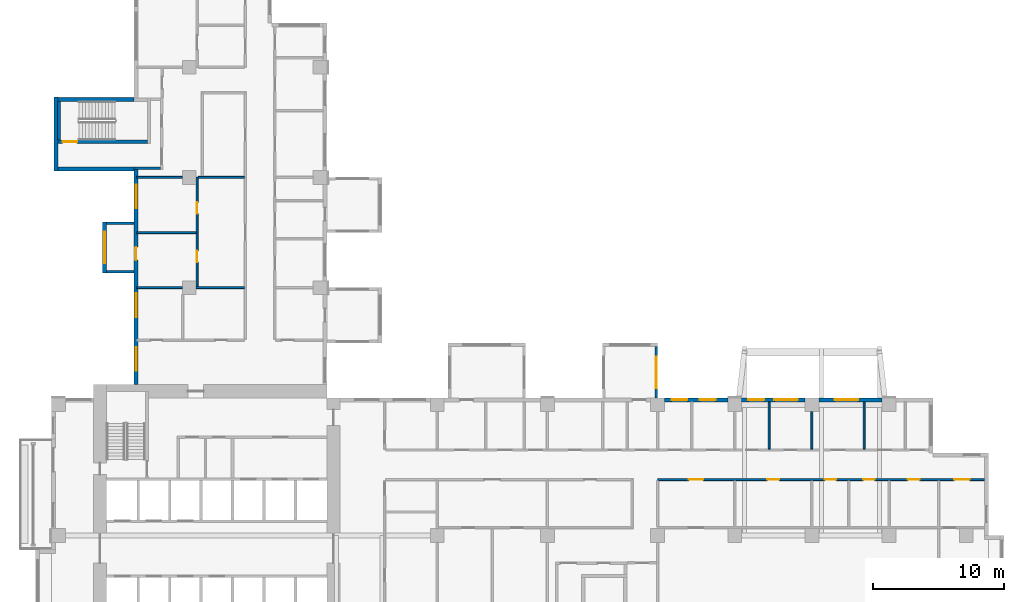
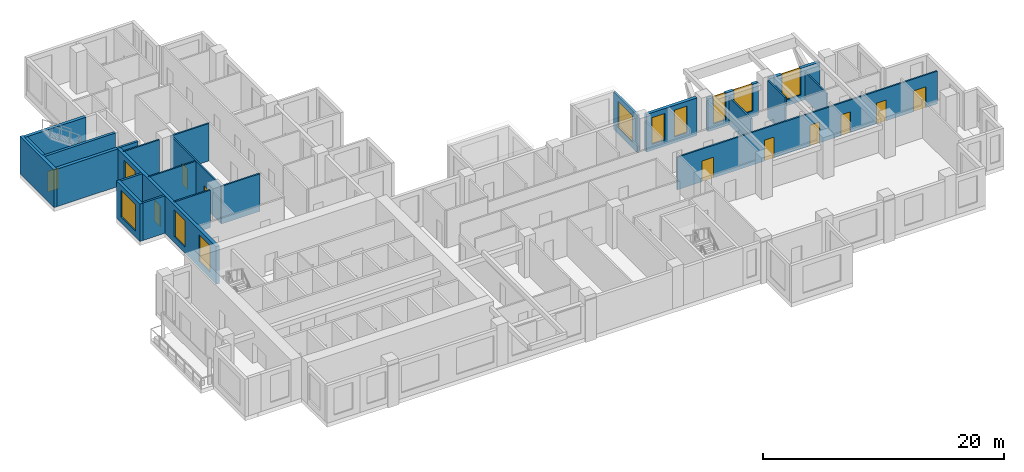
# One storey, part 6 of 15: 24 walls, 10 doors, 10 windows, 20 openings.
"""IFC4 building model written with IfcOpenShell, lengths in metres."""

from ifc_helpers import new_model, si_unit, direction, frame, frame_2d, origin, place, context, subcontext, project, spatial, rectangle, extrude, source, transform, mapped, material, layer, layer_set, type_object, element, fill, save


model = new_model("IFC4")

# Units and contexts
model_context = context("Model", 3, precision=1e-05, world=origin(), true_north=direction((0.0, 1.0)))
body_context = subcontext(model_context, "Body", "Model", "MODEL_VIEW")
ifc_project = project(units=[si_unit("LENGTHUNIT", "METRE"), si_unit("AREAUNIT", "SQUARE_METRE"), si_unit("VOLUMEUNIT", "CUBIC_METRE"), si_unit("PLANEANGLEUNIT", "RADIAN"), si_unit("MASSUNIT", "GRAM", prefix="KILO")], contexts=[model_context])

# Site, building, storey
site_placement = place(None, origin())
site = spatial("IfcSite", under=ifc_project, at=site_placement, CompositionType="ELEMENT")
building_placement = place(site_placement, origin())
building = spatial("IfcBuilding", under=site, at=building_placement, Name="Aurelian Terraces", CompositionType="ELEMENT")
storey_placement = place(building_placement, frame((0.0, 0.0, 107.7)))
storey = spatial("IfcBuildingStorey", under=building, at=storey_placement, Name="L23", CompositionType="ELEMENT", Elevation=107.7)

# Wall
ifc_material_1 = material(Name="Concrete fc' 40 MPa", Category="concrete")
ifc_layer_1 = layer(ifc_material_1, 0.2)
ifc_layer_set_1 = layer_set([ifc_layer_1], Name="BOX BEARING WALL 200")
wall_type_1 = type_object("IfcWallType", Name="BOX BEARING WALL 200", PredefinedType="SOLIDWALL", material=ifc_layer_set_1)
wall_1_placement = place(storey_placement, frame((6.3, 34.3, 0.0), z_axis=(0.0, 0.0, 1.0), x_axis=(-1.0, 0.0, 0.0)))
element("IfcWall", 1, at=wall_1_placement, inside=storey, type_object=wall_type_1, Name="Box return L23 J34.1", PredefinedType="SOLIDWALL", context=body_context, shape_type="SweptSolid", body=[
    extrude(rectangle(XDim=2.1, YDim=0.2, at=frame_2d((1.05, 0.0))), origin(), (0.0, 0.0, 1.0), 3.79),
])

# Wall, opening, window
ifc_layer_2 = layer(ifc_material_1, 0.3)
ifc_layer_set_2 = layer_set([ifc_layer_2], Name="BOX BEARING WALL 300")
wall_type_2 = type_object("IfcWallType", Name="BOX BEARING WALL 300", PredefinedType="SOLIDWALL", material=ifc_layer_set_2)
wall_2_placement = place(storey_placement, frame((4.05, 34.4, 0.0), z_axis=(0.0, 0.0, 1.0), x_axis=(0.0, -1.0, 0.0)))
wall_2 = element("IfcWall", 2, at=wall_2_placement, inside=storey, type_object=wall_type_2, Name="Box wall L23 J34", PredefinedType="SOLIDWALL", context=body_context, shape_type="SweptSolid", body=[
    extrude(rectangle(XDim=3.9, YDim=0.3, at=frame_2d((1.95, 0.0))), origin(), (0.0, 0.0, 1.0), 3.79),
])
shared_shape_1 = source(origin(), body_context, "Body", "SweptSolid", [
    extrude(rectangle(XDim=2.4, YDim=2.7, at=frame_2d((1.2, 1.35))), frame((0.0, 0.16, 0.0), z_axis=(0.0, -1.0, 0.0), x_axis=(1.0, 0.0, 0.0)), (0.0, 0.0, 1.0), 0.32),
])
opening_1_placement = place(wall_2_placement, frame((0.75, 0.0, 0.6)))
opening_1 = element("IfcOpeningElement", 3, at=opening_1_placement, cuts=wall_2, Name="Opening W2427", PredefinedType="OPENING", context=body_context, shape_type="MappedRepresentation", body=[
    mapped(shared_shape_1, transform((0.0, 0.0, 0.0), scale=1.0)),
])
ifc_material_2 = material(Name="Clear glazing", Category="glass")
window_type_1 = type_object("IfcWindowType", Name="W-2400x2700", PartitioningType="SINGLE_PANEL", PredefinedType="WINDOW", material=ifc_material_2)
shared_shape_2 = source(origin(), body_context, "Body", "SweptSolid", [
    extrude(rectangle(XDim=2.4, YDim=2.7, at=frame_2d((1.2, 1.35))), frame((0.0, 0.03, 0.0), z_axis=(0.0, -1.0, 0.0), x_axis=(1.0, 0.0, 0.0)), (0.0, 0.0, 1.0), 0.06),
])
window_1_placement = place(opening_1_placement, origin())
window_1 = element("IfcWindow", 4, at=window_1_placement, inside=storey, type_object=window_type_1, Name="Window L23 J34-F1", OverallHeight=2.7, OverallWidth=2.4, PartitioningType="SINGLE_PANEL", PredefinedType="WINDOW", context=body_context, shape_type="MappedRepresentation", body=[
    mapped(shared_shape_2, transform((0.0, 0.0, 0.0), scale=1.0)),
])
fill(opening_1, window_1)

# Wall, openings, windows, door
ifc_material_3 = material(Name="Terracotta rainscreen cladding", Category="masonry")
ifc_layer_3 = layer(ifc_material_3, 0.3)
ifc_layer_set_3 = layer_set([ifc_layer_3], Name="EW-300")
wall_type_3 = type_object("IfcWallType", Name="EW-300", PredefinedType="STANDARD", material=ifc_layer_set_3)
wall_3_placement = place(storey_placement, frame((6.45, 38.4, 0.0), z_axis=(0.0, 0.0, 1.0), x_axis=(0.0, -1.0, 0.0)))
wall_3 = element("IfcWall", 5, at=wall_3_placement, inside=storey, type_object=wall_type_3, Name="External wall L23 F16.33", PredefinedType="STANDARD", context=body_context, shape_type="SweptSolid", body=[
    extrude(rectangle(XDim=16.4, YDim=0.3, at=frame_2d((8.2, 0.0))), origin(), (0.0, 0.0, 1.0), 3.8),
])
shared_shape_3 = source(origin(), body_context, "Body", "SweptSolid", [
    extrude(rectangle(XDim=1.8, YDim=2.7, at=frame_2d((0.9, 1.35))), frame((0.0, 0.16, 0.0), z_axis=(0.0, -1.0, 0.0), x_axis=(1.0, 0.0, 0.0)), (0.0, 0.0, 1.0), 0.32),
])
opening_2_placement = place(wall_3_placement, frame((1.15, 0.0, 0.6)))
opening_2 = element("IfcOpeningElement", 6, at=opening_2_placement, cuts=wall_3, Name="Opening W1827", PredefinedType="OPENING", context=body_context, shape_type="MappedRepresentation", body=[
    mapped(shared_shape_3, transform((0.0, 0.0, 0.0), scale=1.0)),
])
opening_3_placement = place(wall_3_placement, frame((9.4375, 0.0, 0.6)))
opening_3 = element("IfcOpeningElement", 7, at=opening_3_placement, cuts=wall_3, Name="Opening W1827", PredefinedType="OPENING", context=body_context, shape_type="MappedRepresentation", body=[
    mapped(shared_shape_3, transform((0.0, 0.0, 0.0), scale=1.0)),
])
opening_4_placement = place(wall_3_placement, frame((13.5375, 0.0, 0.6)))
opening_4 = element("IfcOpeningElement", 8, at=opening_4_placement, cuts=wall_3, Name="Opening W1827", PredefinedType="OPENING", context=body_context, shape_type="MappedRepresentation", body=[
    mapped(shared_shape_3, transform((0.0, 0.0, 0.0), scale=1.0)),
])
shared_shape_4 = source(origin(), body_context, "Body", "SweptSolid", [
    extrude(rectangle(XDim=1.0, YDim=2.1, at=frame_2d((0.5, 1.05))), frame((0.0, 0.16, 0.0), z_axis=(0.0, -1.0, 0.0), x_axis=(1.0, 0.0, 0.0)), (0.0, 0.0, 1.0), 0.32),
])
opening_5_placement = place(wall_3_placement, frame((5.9083, 0.0, 0.0)))
opening_5 = element("IfcOpeningElement", 9, at=opening_5_placement, cuts=wall_3, Name="Opening 823006", PredefinedType="OPENING", context=body_context, shape_type="MappedRepresentation", body=[
    mapped(shared_shape_4, transform((0.0, 0.0, 0.0), scale=1.0)),
])
window_type_2 = type_object("IfcWindowType", Name="W-1800x2700", PartitioningType="SINGLE_PANEL", PredefinedType="WINDOW", material=ifc_material_2)
shared_shape_5 = source(origin(), body_context, "Body", "SweptSolid", [
    extrude(rectangle(XDim=1.8, YDim=2.7, at=frame_2d((0.9, 1.35))), frame((0.0, 0.03, 0.0), z_axis=(0.0, -1.0, 0.0), x_axis=(1.0, 0.0, 0.0)), (0.0, 0.0, 1.0), 0.06),
])
window_2_placement = place(opening_2_placement, origin())
window_2 = element("IfcWindow", 10, at=window_2_placement, inside=storey, type_object=window_type_2, Name="Window L23 L23-F16-33-0", OverallHeight=2.7, OverallWidth=1.8, PartitioningType="SINGLE_PANEL", PredefinedType="WINDOW", context=body_context, shape_type="MappedRepresentation", body=[
    mapped(shared_shape_5, transform((0.0, 0.0, 0.0), scale=1.0)),
])
fill(opening_2, window_2)
window_3_placement = place(opening_3_placement, origin())
window_3 = element("IfcWindow", 11, at=window_3_placement, inside=storey, type_object=window_type_2, Name="Window L23 L23-F16-33-2", OverallHeight=2.7, OverallWidth=1.8, PartitioningType="SINGLE_PANEL", PredefinedType="WINDOW", context=body_context, shape_type="MappedRepresentation", body=[
    mapped(shared_shape_5, transform((0.0, 0.0, 0.0), scale=1.0)),
])
fill(opening_3, window_3)
window_4_placement = place(opening_4_placement, origin())
window_4 = element("IfcWindow", 12, at=window_4_placement, inside=storey, type_object=window_type_2, Name="Window L23 L23-F16-33-3", OverallHeight=2.7, OverallWidth=1.8, PartitioningType="SINGLE_PANEL", PredefinedType="WINDOW", context=body_context, shape_type="MappedRepresentation", body=[
    mapped(shared_shape_5, transform((0.0, 0.0, 0.0), scale=1.0)),
])
fill(opening_4, window_4)
ifc_material_4 = material(Name="Timber door leaf", Category="wood")
door_type_1 = type_object("IfcDoorType", Name="Room door 1000x2100 left", OperationType="SINGLE_SWING_LEFT", PredefinedType="DOOR", material=ifc_material_4)
shared_shape_6 = source(origin(), body_context, "Body", "SweptSolid", [
    extrude(rectangle(XDim=1.0, YDim=2.1, at=frame_2d((0.5, 1.05))), frame((0.0, 0.025, 0.0), z_axis=(0.0, -1.0, 0.0), x_axis=(1.0, 0.0, 0.0)), (0.0, 0.0, 1.0), 0.05),
])
door_1_placement = place(opening_5_placement, origin())
door_1 = element("IfcDoor", 13, at=door_1_placement, inside=storey, type_object=door_type_1, Name="Door 823006", OperationType="SINGLE_SWING_LEFT", OverallHeight=2.1, OverallWidth=1.0, PredefinedType="DOOR", context=body_context, shape_type="MappedRepresentation", body=[
    mapped(shared_shape_6, transform((0.0, 0.0, 0.0), scale=1.0)),
])
fill(opening_5, door_1)

# Wall, opening, window
shared_shape_7 = source(origin(), body_context, "Body", "SweptSolid", [
    extrude(rectangle(XDim=3.9, YDim=0.2, at=frame_2d((1.95, 0.0))), origin(), (0.0, 0.0, 1.0), 3.8),
])
wall_4_placement = place(storey_placement, frame((46.1, 21.0, 0.0), z_axis=(0.0, 0.0, 1.0), x_axis=(0.0, 1.0, 0.0)))
wall_4 = element("IfcWall", 14, at=wall_4_placement, inside=storey, type_object=wall_type_1, Name="Box return L23 J30.1", PredefinedType="SOLIDWALL", context=body_context, shape_type="MappedRepresentation", body=[
    mapped(shared_shape_7, transform((0.0, 0.0, 0.0), scale=1.0)),
])
shared_shape_8 = source(origin(), body_context, "Body", "SweptSolid", [
    extrude(rectangle(XDim=2.4, YDim=2.7, at=frame_2d((1.2, 1.35))), frame((0.0, 0.11, 0.0), z_axis=(0.0, -1.0, 0.0), x_axis=(1.0, 0.0, 0.0)), (0.0, 0.0, 1.0), 0.22),
])
opening_6_placement = place(wall_4_placement, frame((0.75, 0.0, 0.6)))
opening_6 = element("IfcOpeningElement", 15, at=opening_6_placement, cuts=wall_4, Name="Opening W2427", PredefinedType="OPENING", context=body_context, shape_type="MappedRepresentation", body=[
    mapped(shared_shape_8, transform((0.0, 0.0, 0.0), scale=1.0)),
])
window_5_placement = place(opening_6_placement, origin())
window_5 = element("IfcWindow", 16, at=window_5_placement, inside=storey, type_object=window_type_1, Name="Window L23 J30-S1", OverallHeight=2.7, OverallWidth=2.4, PartitioningType="SINGLE_PANEL", PredefinedType="WINDOW", context=body_context, shape_type="MappedRepresentation", body=[
    mapped(shared_shape_2, transform((0.0, 0.0, 0.0), scale=1.0)),
])
fill(opening_6, window_5)

# Walls
ifc_layer_4 = layer(ifc_material_1, 0.3)
ifc_layer_set_4 = layer_set([ifc_layer_4], Name="STAIR BAY WALL 300")
wall_type_4 = type_object("IfcWallType", Name="STAIR BAY WALL 300", PredefinedType="SOLIDWALL", material=ifc_layer_set_4)
shared_shape_9 = source(origin(), body_context, "Body", "SweptSolid", [
    extrude(rectangle(XDim=6.1, YDim=0.3, at=frame_2d((3.05, 0.0))), origin(), (0.0, 0.0, 1.0), 3.8),
])
for number, where, z_axis, x_axis, name in (
    (17, (6.3, 43.75, 0.0), (0.0, 0.0, 1.0), (-1.0, 0.0, 0.0), "Stair bay wall L23 F13.30"),
    (18, (0.2, 38.45, 0.0), (0.0, 0.0, 1.0), (1.0, 0.0, 0.0), "Stair bay wall L23 F15.32"),
):
    element("IfcWall", number, at=place(storey_placement, frame(where, z_axis=z_axis, x_axis=x_axis)), inside=storey, type_object=wall_type_4, Name=name, PredefinedType="SOLIDWALL", context=body_context, shape_type="MappedRepresentation", body=[
        mapped(shared_shape_9, transform((0.0, 0.0, 0.0), scale=1.0)),
    ])

# Wall, openings, windows
shared_shape_10 = source(origin(), body_context, "Body", "SweptSolid", [
    extrude(rectangle(XDim=4.83, YDim=0.3, at=frame_2d((2.415, 0.0))), origin(), (0.0, 0.0, 1.0), 3.8),
])
wall_5_placement = place(storey_placement, frame((51.555, 20.85, 0.0), z_axis=(0.0, 0.0, 1.0), x_axis=(-1.0, 0.0, 0.0)))
wall_5 = element("IfcWall", 19, at=wall_5_placement, inside=storey, type_object=wall_type_3, Name="External wall L23 F07.19", PredefinedType="STANDARD", context=body_context, shape_type="MappedRepresentation", body=[
    mapped(shared_shape_10, transform((0.0, 0.0, 0.0), scale=1.0)),
])
shared_shape_11 = source(origin(), body_context, "Body", "SweptSolid", [
    extrude(rectangle(XDim=1.2, YDim=2.7, at=frame_2d((0.6, 1.35))), frame((0.0, 0.16, 0.0), z_axis=(0.0, -1.0, 0.0), x_axis=(1.0, 0.0, 0.0)), (0.0, 0.0, 1.0), 0.32),
])
opening_7_placement = place(wall_5_placement, frame((3.0865, 0.0, 0.6)))
opening_7 = element("IfcOpeningElement", 20, at=opening_7_placement, cuts=wall_5, Name="Opening W1227", PredefinedType="OPENING", context=body_context, shape_type="MappedRepresentation", body=[
    mapped(shared_shape_11, transform((0.0, 0.0, 0.0), scale=1.0)),
])
opening_8_placement = place(wall_5_placement, frame((0.9432, 0.0, 0.6)))
opening_8 = element("IfcOpeningElement", 21, at=opening_8_placement, cuts=wall_5, Name="Opening W1227", PredefinedType="OPENING", context=body_context, shape_type="MappedRepresentation", body=[
    mapped(shared_shape_11, transform((0.0, 0.0, 0.0), scale=1.0)),
])
window_type_3 = type_object("IfcWindowType", Name="W-1200x2700", PartitioningType="SINGLE_PANEL", PredefinedType="WINDOW", material=ifc_material_2)
shared_shape_12 = source(origin(), body_context, "Body", "SweptSolid", [
    extrude(rectangle(XDim=1.2, YDim=2.7, at=frame_2d((0.6, 1.35))), frame((0.0, 0.03, 0.0), z_axis=(0.0, -1.0, 0.0), x_axis=(1.0, 0.0, 0.0)), (0.0, 0.0, 1.0), 0.06),
])
window_6_placement = place(opening_7_placement, origin())
window_6 = element("IfcWindow", 22, at=window_6_placement, inside=storey, type_object=window_type_3, Name="Window L23 L23-F07-19-4", OverallHeight=2.7, OverallWidth=1.2, PartitioningType="SINGLE_PANEL", PredefinedType="WINDOW", context=body_context, shape_type="MappedRepresentation", body=[
    mapped(shared_shape_12, transform((0.0, 0.0, 0.0), scale=1.0)),
])
fill(opening_7, window_6)
window_7_placement = place(opening_8_placement, origin())
window_7 = element("IfcWindow", 23, at=window_7_placement, inside=storey, type_object=window_type_3, Name="Window L23 L23-F07-19-G3-156", OverallHeight=2.7, OverallWidth=1.2, PartitioningType="SINGLE_PANEL", PredefinedType="WINDOW", context=body_context, shape_type="MappedRepresentation", body=[
    mapped(shared_shape_12, transform((0.0, 0.0, 0.0), scale=1.0)),
])
fill(opening_8, window_7)

# Wall
shared_shape_13 = source(origin(), body_context, "Body", "SweptSolid", [
    extrude(rectangle(XDim=5.65, YDim=0.3, at=frame_2d((2.825, 0.0))), origin(), (0.0, 0.0, 1.0), 3.8),
])
wall_6_placement = place(storey_placement, frame((0.35, 43.95, 0.0), z_axis=(0.0, 0.0, 1.0), x_axis=(0.0, -1.0, 0.0)))
element("IfcWall", 24, at=wall_6_placement, inside=storey, type_object=wall_type_4, Name="Stair bay wall L23 F14.31", PredefinedType="SOLIDWALL", context=body_context, shape_type="MappedRepresentation", body=[
    mapped(shared_shape_13, transform((0.0, 0.0, 0.0), scale=1.0)),
])

# Wall, opening, window
shared_shape_14 = source(origin(), body_context, "Body", "SweptSolid", [
    extrude(rectangle(XDim=4.83, YDim=0.3, at=frame_2d((2.415, 0.0))), origin(), (0.0, 0.0, 1.0), 3.3),
])
wall_7_placement = place(storey_placement, frame((63.315, 20.85, 0.0), z_axis=(0.0, 0.0, 1.0), x_axis=(-1.0, 0.0, 0.0)))
wall_7 = element("IfcWall", 25, at=wall_7_placement, inside=storey, type_object=wall_type_3, Name="External wall L23 F07.19", PredefinedType="STANDARD", context=body_context, shape_type="MappedRepresentation", body=[
    mapped(shared_shape_14, transform((0.0, 0.0, 0.0), scale=1.0)),
])
opening_9_placement = place(wall_7_placement, frame((1.8305, 0.0, 0.6)))
opening_9 = element("IfcOpeningElement", 26, at=opening_9_placement, cuts=wall_7, Name="Opening W1827", PredefinedType="OPENING", context=body_context, shape_type="MappedRepresentation", body=[
    mapped(shared_shape_3, transform((0.0, 0.0, 0.0), scale=1.0)),
])
window_8_placement = place(opening_9_placement, origin())
window_8 = element("IfcWindow", 27, at=window_8_placement, inside=storey, type_object=window_type_2, Name="Window L23 L23-F07-19-1", OverallHeight=2.7, OverallWidth=1.8, PartitioningType="SINGLE_PANEL", PredefinedType="WINDOW", context=body_context, shape_type="MappedRepresentation", body=[
    mapped(shared_shape_5, transform((0.0, 0.0, 0.0), scale=1.0)),
])
fill(opening_9, window_8)

# Wall, openings, windows
wall_8_placement = place(storey_placement, frame((57.435, 20.85, 0.0), z_axis=(0.0, 0.0, 1.0), x_axis=(-1.0, 0.0, 0.0)))
wall_8 = element("IfcWall", 28, at=wall_8_placement, inside=storey, type_object=wall_type_3, Name="External wall L23 F07.19", PredefinedType="STANDARD", context=body_context, shape_type="MappedRepresentation", body=[
    mapped(shared_shape_14, transform((0.0, 0.0, 0.0), scale=1.0)),
])
opening_10_placement = place(wall_8_placement, frame((0.5415, 0.0, 0.6)))
opening_10 = element("IfcOpeningElement", 29, at=opening_10_placement, cuts=wall_8, Name="Opening W1827", PredefinedType="OPENING", context=body_context, shape_type="MappedRepresentation", body=[
    mapped(shared_shape_3, transform((0.0, 0.0, 0.0), scale=1.0)),
])
opening_11_placement = place(wall_8_placement, frame((3.1165, 0.0, 0.6)))
opening_11 = element("IfcOpeningElement", 30, at=opening_11_placement, cuts=wall_8, Name="Opening W1227", PredefinedType="OPENING", context=body_context, shape_type="MappedRepresentation", body=[
    mapped(shared_shape_11, transform((0.0, 0.0, 0.0), scale=1.0)),
])
window_9_placement = place(opening_10_placement, origin())
window_9 = element("IfcWindow", 31, at=window_9_placement, inside=storey, type_object=window_type_2, Name="Window L23 L23-F07-19-P2.1", OverallHeight=2.7, OverallWidth=1.8, PartitioningType="SINGLE_PANEL", PredefinedType="WINDOW", context=body_context, shape_type="MappedRepresentation", body=[
    mapped(shared_shape_5, transform((0.0, 0.0, 0.0), scale=1.0)),
])
fill(opening_10, window_9)
window_10_placement = place(opening_11_placement, origin())
window_10 = element("IfcWindow", 32, at=window_10_placement, inside=storey, type_object=window_type_3, Name="Window L23 L23-F07-19-P2.2", OverallHeight=2.7, OverallWidth=1.2, PartitioningType="SINGLE_PANEL", PredefinedType="WINDOW", context=body_context, shape_type="MappedRepresentation", body=[
    mapped(shared_shape_12, transform((0.0, 0.0, 0.0), scale=1.0)),
])
fill(opening_11, window_10)

# Wall
shared_shape_15 = source(origin(), body_context, "Body", "SweptSolid", [
    extrude(rectangle(XDim=2.1, YDim=0.2, at=frame_2d((1.05, 0.0))), origin(), (0.0, 0.0, 1.0), 3.79),
])
wall_9_placement = place(storey_placement, frame((6.3, 30.6, 0.0), z_axis=(0.0, 0.0, 1.0), x_axis=(-1.0, 0.0, 0.0)))
element("IfcWall", 33, at=wall_9_placement, inside=storey, type_object=wall_type_1, Name="Box return L23 J34.2", PredefinedType="SOLIDWALL", context=body_context, shape_type="MappedRepresentation", body=[
    mapped(shared_shape_15, transform((0.0, 0.0, 0.0), scale=1.0)),
])

# Wall, opening, door
ifc_layer_5 = layer(ifc_material_1, 0.25)
ifc_layer_set_5 = layer_set([ifc_layer_5], Name="Stair enclosure wall 250")
wall_type_5 = type_object("IfcWallType", Name="Stair enclosure wall 250", PredefinedType="SOLIDWALL", material=ifc_layer_set_5)
shared_shape_16 = source(origin(), body_context, "Body", "SweptSolid", [
    extrude(rectangle(XDim=7.0, YDim=0.25, at=frame_2d((3.5, 0.0))), origin(), (0.0, 0.0, 1.0), 3.8),
])
wall_10_placement = place(storey_placement, frame((0.3, 40.525, 0.0), z_axis=(0.0, 0.0, 1.0), x_axis=(1.0, 0.0, 0.0)))
wall_10 = element("IfcWall", 34, at=wall_10_placement, inside=storey, type_object=wall_type_5, Name="L23 core wall ST-S3-W", PredefinedType="SOLIDWALL", context=body_context, shape_type="MappedRepresentation", body=[
    mapped(shared_shape_16, transform((0.0, 0.0, 0.0), scale=1.0)),
])
shared_shape_17 = source(origin(), body_context, "Body", "SweptSolid", [
    extrude(rectangle(XDim=1.1, YDim=2.1, at=frame_2d((0.55, 1.05))), frame((0.0, 0.135, 0.0), z_axis=(0.0, -1.0, 0.0), x_axis=(1.0, 0.0, 0.0)), (0.0, 0.0, 1.0), 0.27),
])
opening_12_placement = place(wall_10_placement, frame((0.55, 0.0, 0.0)))
opening_12 = element("IfcOpeningElement", 35, at=opening_12_placement, cuts=wall_10, Name="Opening 62617", PredefinedType="OPENING", context=body_context, shape_type="MappedRepresentation", body=[
    mapped(shared_shape_17, transform((0.0, 0.0, 0.0), scale=1.0)),
])
ifc_material_5 = material(Name="Steel door leaf", Category="steel")
door_type_2 = type_object("IfcDoorType", Name="Core fire door 1100x2100 right", OperationType="SINGLE_SWING_RIGHT", PredefinedType="DOOR", material=ifc_material_5)
shared_shape_18 = source(origin(), body_context, "Body", "SweptSolid", [
    extrude(rectangle(XDim=1.1, YDim=2.1, at=frame_2d((0.55, 1.05))), frame((0.0, 0.025, 0.0), z_axis=(0.0, -1.0, 0.0), x_axis=(1.0, 0.0, 0.0)), (0.0, 0.0, 1.0), 0.05),
])
door_2_placement = place(opening_12_placement, origin())
door_2 = element("IfcDoor", 36, at=door_2_placement, inside=storey, type_object=door_type_2, Name="Stair door 62617", OperationType="SINGLE_SWING_RIGHT", OverallHeight=2.1, OverallWidth=1.1, PredefinedType="DOOR", context=body_context, shape_type="MappedRepresentation", body=[
    mapped(shared_shape_18, transform((0.0, 0.0, 0.0), scale=1.0)),
])
fill(opening_12, door_2)

# Walls
shared_shape_19 = source(origin(), body_context, "Body", "SweptSolid", [
    extrude(rectangle(XDim=2.95, YDim=0.25, at=frame_2d((1.475, 0.0))), origin(), (0.0, 0.0, 1.0), 3.8),
])
wall_11_placement = place(storey_placement, frame((0.575, 40.65, 0.0), z_axis=(0.0, 0.0, 1.0), x_axis=(0.0, 1.0, 0.0)))
element("IfcWall", 37, at=wall_11_placement, inside=storey, type_object=wall_type_5, Name="L23 core wall ST-S3-SS", PredefinedType="SOLIDWALL", context=body_context, shape_type="MappedRepresentation", body=[
    mapped(shared_shape_19, transform((0.0, 0.0, 0.0), scale=1.0)),
])
ifc_material_6 = material(Name="Gypsum board on steel studs", Category="steel")
ifc_layer_6 = layer(ifc_material_6, 0.2)
ifc_layer_set_6 = layer_set([ifc_layer_6], Name="Core partition 200")
wall_type_6 = type_object("IfcWallType", Name="Core partition 200", PredefinedType="PARTITIONING", material=ifc_layer_set_6)
shared_shape_20 = source(origin(), body_context, "Body", "SweptSolid", [
    extrude(rectangle(XDim=2.0, YDim=0.2, at=frame_2d((1.0, 0.0))), origin(), (0.0, 0.0, 1.0), 3.8),
])
wall_12_placement = place(storey_placement, frame((6.3, 38.5, 0.0), z_axis=(0.0, 0.0, 1.0), x_axis=(1.0, 0.0, 0.0)))
element("IfcWall", 38, at=wall_12_placement, inside=storey, type_object=wall_type_6, Name="L23 core wall ST-S3-VW", PredefinedType="PARTITIONING", context=body_context, shape_type="MappedRepresentation", body=[
    mapped(shared_shape_20, transform((0.0, 0.0, 0.0), scale=1.0)),
])

# Wall, openings, doors
ifc_layer_7 = layer(ifc_material_6, 0.15)
ifc_layer_set_7 = layer_set([ifc_layer_7], Name="Partition 150")
wall_type_7 = type_object("IfcWallType", Name="Partition 150", PredefinedType="PARTITIONING", material=ifc_layer_set_7)
shared_shape_21 = source(origin(), body_context, "Body", "SweptSolid", [
    extrude(rectangle(XDim=8.4, YDim=0.15, at=frame_2d((4.2, 0.0))), origin(), (0.0, 0.0, 1.0), 3.8),
])
wall_13_placement = place(storey_placement, frame((11.1, 29.4, 0.0), z_axis=(0.0, 0.0, 1.0), x_axis=(0.0, 1.0, 0.0)))
wall_13 = element("IfcWall", 39, at=wall_13_placement, inside=storey, type_object=wall_type_7, Name="Partition", PredefinedType="PARTITIONING", context=body_context, shape_type="MappedRepresentation", body=[
    mapped(shared_shape_21, transform((0.0, 0.0, 0.0), scale=1.0)),
])
shared_shape_22 = source(origin(), body_context, "Body", "SweptSolid", [
    extrude(rectangle(XDim=0.9, YDim=2.1, at=frame_2d((0.45, 1.05))), frame((0.0, 0.085, 0.0), z_axis=(0.0, -1.0, 0.0), x_axis=(1.0, 0.0, 0.0)), (0.0, 0.0, 1.0), 0.17),
])
opening_13_placement = place(wall_13_placement, frame((1.925, 0.0, 0.0)))
opening_13 = element("IfcOpeningElement", 40, at=opening_13_placement, cuts=wall_13, Name="Opening 723037", PredefinedType="OPENING", context=body_context, shape_type="MappedRepresentation", body=[
    mapped(shared_shape_22, transform((0.0, 0.0, 0.0), scale=1.0)),
])
opening_14_placement = place(wall_13_placement, frame((5.625, 0.0, 0.0)))
opening_14 = element("IfcOpeningElement", 41, at=opening_14_placement, cuts=wall_13, Name="Opening 723038", PredefinedType="OPENING", context=body_context, shape_type="MappedRepresentation", body=[
    mapped(shared_shape_22, transform((0.0, 0.0, 0.0), scale=1.0)),
])
door_type_3 = type_object("IfcDoorType", Name="Room door 900x2100 right", OperationType="SINGLE_SWING_RIGHT", PredefinedType="DOOR", material=ifc_material_4)
shared_shape_23 = source(origin(), body_context, "Body", "SweptSolid", [
    extrude(rectangle(XDim=0.9, YDim=2.1, at=frame_2d((0.45, 1.05))), frame((0.0, 0.025, 0.0), z_axis=(0.0, -1.0, 0.0), x_axis=(1.0, 0.0, 0.0)), (0.0, 0.0, 1.0), 0.05),
])
door_3_placement = place(opening_13_placement, origin())
door_3 = element("IfcDoor", 42, at=door_3_placement, inside=storey, type_object=door_type_3, Name="Door 723037", OperationType="SINGLE_SWING_RIGHT", OverallHeight=2.1, OverallWidth=0.9, PredefinedType="DOOR", context=body_context, shape_type="MappedRepresentation", body=[
    mapped(shared_shape_23, transform((0.0, 0.0, 0.0), scale=1.0)),
])
fill(opening_13, door_3)
door_type_4 = type_object("IfcDoorType", Name="Room door 900x2100 left", OperationType="SINGLE_SWING_LEFT", PredefinedType="DOOR", material=ifc_material_4)
door_4_placement = place(opening_14_placement, origin())
door_4 = element("IfcDoor", 43, at=door_4_placement, inside=storey, type_object=door_type_4, Name="Door 723038", OperationType="SINGLE_SWING_LEFT", OverallHeight=2.1, OverallWidth=0.9, PredefinedType="DOOR", context=body_context, shape_type="MappedRepresentation", body=[
    mapped(shared_shape_23, transform((0.0, 0.0, 0.0), scale=1.0)),
])
fill(opening_14, door_4)

ifc_layer_8 = layer(ifc_material_6, 0.15)
ifc_layer_set_8 = layer_set([ifc_layer_8], Name="Fire partition 150")
wall_type_8 = type_object("IfcWallType", Name="Fire partition 150", PredefinedType="PARTITIONING", material=ifc_layer_set_8)
shared_shape_24 = source(origin(), body_context, "Body", "SweptSolid", [
    extrude(rectangle(XDim=24.9, YDim=0.15, at=frame_2d((12.45, 0.0))), origin(), (0.0, 0.0, 1.0), 3.3),
])
wall_14_placement = place(storey_placement, frame((71.1, 14.775, 0.0), z_axis=(0.0, 0.0, 1.0), x_axis=(-1.0, 0.0, 0.0)))
wall_14 = element("IfcWall", 44, at=wall_14_placement, inside=storey, type_object=wall_type_8, Name="Corridor wall", PredefinedType="PARTITIONING", context=body_context, shape_type="MappedRepresentation", body=[
    mapped(shared_shape_24, transform((0.0, 0.0, 0.0), scale=1.0)),
])
shared_shape_25 = source(origin(), body_context, "Body", "SweptSolid", [
    extrude(rectangle(XDim=1.1, YDim=2.1, at=frame_2d((0.55, 1.05))), frame((0.0, 0.085, 0.0), z_axis=(0.0, -1.0, 0.0), x_axis=(1.0, 0.0, 0.0)), (0.0, 0.0, 1.0), 0.17),
])
opening_15_placement = place(wall_14_placement, frame((21.41, 0.0, 0.0)))
opening_15 = element("IfcOpeningElement", 45, at=opening_15_placement, cuts=wall_14, Name="Opening 723010", PredefinedType="OPENING", context=body_context, shape_type="MappedRepresentation", body=[
    mapped(shared_shape_25, transform((0.0, 0.0, 0.0), scale=1.0)),
])
opening_16_placement = place(wall_14_placement, frame((15.63, 0.0, 0.0)))
opening_16 = element("IfcOpeningElement", 46, at=opening_16_placement, cuts=wall_14, Name="Opening 723012", PredefinedType="OPENING", context=body_context, shape_type="MappedRepresentation", body=[
    mapped(shared_shape_22, transform((0.0, 0.0, 0.0), scale=1.0)),
])
opening_17_placement = place(wall_14_placement, frame((11.2782, 0.0, 0.0)))
opening_17 = element("IfcOpeningElement", 47, at=opening_17_placement, cuts=wall_14, Name="Opening 723013", PredefinedType="OPENING", context=body_context, shape_type="MappedRepresentation", body=[
    mapped(shared_shape_22, transform((0.0, 0.0, 0.0), scale=1.0)),
])
opening_18_placement = place(wall_14_placement, frame((8.3382, 0.0, 0.0)))
opening_18 = element("IfcOpeningElement", 48, at=opening_18_placement, cuts=wall_14, Name="Opening 723014", PredefinedType="OPENING", context=body_context, shape_type="MappedRepresentation", body=[
    mapped(shared_shape_22, transform((0.0, 0.0, 0.0), scale=1.0)),
])
opening_19_placement = place(wall_14_placement, frame((4.92, 0.0, 0.0)))
opening_19 = element("IfcOpeningElement", 49, at=opening_19_placement, cuts=wall_14, Name="Opening 723015", PredefinedType="OPENING", context=body_context, shape_type="MappedRepresentation", body=[
    mapped(shared_shape_22, transform((0.0, 0.0, 0.0), scale=1.0)),
])
shared_shape_26 = source(origin(), body_context, "Body", "SweptSolid", [
    extrude(rectangle(XDim=1.2, YDim=2.1, at=frame_2d((0.6, 1.05))), frame((0.0, 0.085, 0.0), z_axis=(0.0, -1.0, 0.0), x_axis=(1.0, 0.0, 0.0)), (0.0, 0.0, 1.0), 0.17),
])
opening_20_placement = place(wall_14_placement, frame((1.1025, 0.0, 0.0)))
opening_20 = element("IfcOpeningElement", 50, at=opening_20_placement, cuts=wall_14, Name="Opening 723016", PredefinedType="OPENING", context=body_context, shape_type="MappedRepresentation", body=[
    mapped(shared_shape_26, transform((0.0, 0.0, 0.0), scale=1.0)),
])
door_5_placement = place(opening_16_placement, origin())
door_5 = element("IfcDoor", 51, at=door_5_placement, inside=storey, type_object=door_type_4, Name="Door 723012", OperationType="SINGLE_SWING_LEFT", OverallHeight=2.1, OverallWidth=0.9, PredefinedType="DOOR", context=body_context, shape_type="MappedRepresentation", body=[
    mapped(shared_shape_23, transform((0.0, 0.0, 0.0), scale=1.0)),
])
fill(opening_16, door_5)
door_6_placement = place(opening_17_placement, origin())
door_6 = element("IfcDoor", 52, at=door_6_placement, inside=storey, type_object=door_type_3, Name="Door 723013", OperationType="SINGLE_SWING_RIGHT", OverallHeight=2.1, OverallWidth=0.9, PredefinedType="DOOR", context=body_context, shape_type="MappedRepresentation", body=[
    mapped(shared_shape_23, transform((0.0, 0.0, 0.0), scale=1.0)),
])
fill(opening_17, door_6)
door_7_placement = place(opening_18_placement, origin())
door_7 = element("IfcDoor", 53, at=door_7_placement, inside=storey, type_object=door_type_4, Name="Door 723014", OperationType="SINGLE_SWING_LEFT", OverallHeight=2.1, OverallWidth=0.9, PredefinedType="DOOR", context=body_context, shape_type="MappedRepresentation", body=[
    mapped(shared_shape_23, transform((0.0, 0.0, 0.0), scale=1.0)),
])
fill(opening_18, door_7)
door_8_placement = place(opening_19_placement, origin())
door_8 = element("IfcDoor", 54, at=door_8_placement, inside=storey, type_object=door_type_3, Name="Door 723015", OperationType="SINGLE_SWING_RIGHT", OverallHeight=2.1, OverallWidth=0.9, PredefinedType="DOOR", context=body_context, shape_type="MappedRepresentation", body=[
    mapped(shared_shape_23, transform((0.0, 0.0, 0.0), scale=1.0)),
])
fill(opening_19, door_8)
door_type_5 = type_object("IfcDoorType", Name="Room door 1100x2100 left", OperationType="SINGLE_SWING_LEFT", PredefinedType="DOOR", material=ifc_material_4)
door_9_placement = place(opening_15_placement, origin())
door_9 = element("IfcDoor", 55, at=door_9_placement, inside=storey, type_object=door_type_5, Name="Door 723010", OperationType="SINGLE_SWING_LEFT", OverallHeight=2.1, OverallWidth=1.1, PredefinedType="DOOR", context=body_context, shape_type="MappedRepresentation", body=[
    mapped(shared_shape_18, transform((0.0, 0.0, 0.0), scale=1.0)),
])
fill(opening_15, door_9)
door_type_6 = type_object("IfcDoorType", Name="Room door 1200x2100 left", OperationType="SINGLE_SWING_LEFT", PredefinedType="DOOR", material=ifc_material_4)
shared_shape_27 = source(origin(), body_context, "Body", "SweptSolid", [
    extrude(rectangle(XDim=1.2, YDim=2.1, at=frame_2d((0.6, 1.05))), frame((0.0, 0.025, 0.0), z_axis=(0.0, -1.0, 0.0), x_axis=(1.0, 0.0, 0.0)), (0.0, 0.0, 1.0), 0.05),
])
door_10_placement = place(opening_20_placement, origin())
door_10 = element("IfcDoor", 56, at=door_10_placement, inside=storey, type_object=door_type_6, Name="Door 723016", OperationType="SINGLE_SWING_LEFT", OverallHeight=2.1, OverallWidth=1.2, PredefinedType="DOOR", context=body_context, shape_type="MappedRepresentation", body=[
    mapped(shared_shape_27, transform((0.0, 0.0, 0.0), scale=1.0)),
])
fill(opening_20, door_10)

# Walls
shared_shape_28 = source(origin(), body_context, "Body", "SweptSolid", [
    extrude(rectangle(XDim=3.6, YDim=0.15, at=frame_2d((1.8, 0.0))), origin(), (0.0, 0.0, 1.0), 2.8),
])
for number, where, z_axis, x_axis, name in (
    (57, (54.6916, 20.7, 0.0), (0.0, 0.0, 1.0), (0.0, -1.0, 0.0), "Partition"),
    (58, (61.9445, 20.7, 0.0), (0.0, 0.0, 1.0), (0.0, -1.0, 0.0), "Partition"),
):
    element("IfcWall", number, at=place(storey_placement, frame(where, z_axis=z_axis, x_axis=x_axis)), inside=storey, type_object=wall_type_7, Name=name, PredefinedType="PARTITIONING", context=body_context, shape_type="MappedRepresentation", body=[
        mapped(shared_shape_28, transform((0.0, 0.0, 0.0), scale=1.0)),
    ])
shared_shape_29 = source(origin(), body_context, "Body", "SweptSolid", [
    extrude(rectangle(XDim=2.851, YDim=0.15, at=frame_2d((1.4255, 0.0))), origin(), (0.0, 0.0, 1.0), 3.8),
])
wall_15_placement = place(storey_placement, frame((57.96, 17.1, 0.0), z_axis=(0.0, 0.0, 1.0), x_axis=(0.0, 1.0, 0.0)))
element("IfcWall", 59, at=wall_15_placement, inside=storey, type_object=wall_type_7, Name="Partition", PredefinedType="PARTITIONING", context=body_context, shape_type="MappedRepresentation", body=[
    mapped(shared_shape_29, transform((0.0, 0.0, 0.0), scale=1.0)),
])
shared_shape_30 = source(origin(), body_context, "Body", "SweptSolid", [
    extrude(rectangle(XDim=3.471, YDim=0.15, at=frame_2d((1.7355, 0.0))), origin(), (0.0, 0.0, 1.0), 3.8),
])
for number, where, z_axis, x_axis, name in (
    (60, (9.976, 29.4, 0.0), (0.0, 0.0, 1.0), (-1.0, 0.0, 0.0), "Partition"),
    (61, (9.976, 37.8, 0.0), (0.0, 0.0, 1.0), (-1.0, 0.0, 0.0), "Partition"),
):
    element("IfcWall", number, at=place(storey_placement, frame(where, z_axis=z_axis, x_axis=x_axis)), inside=storey, type_object=wall_type_7, Name=name, PredefinedType="PARTITIONING", context=body_context, shape_type="MappedRepresentation", body=[
        mapped(shared_shape_30, transform((0.0, 0.0, 0.0), scale=1.0)),
    ])
shared_shape_31 = source(origin(), body_context, "Body", "SweptSolid", [
    extrude(rectangle(XDim=3.525, YDim=0.15, at=frame_2d((1.7625, 0.0))), origin(), (0.0, 0.0, 1.0), 3.8),
])
wall_16_placement = place(storey_placement, frame((14.7, 37.8, 0.0), z_axis=(0.0, 0.0, 1.0), x_axis=(-1.0, 0.0, 0.0)))
element("IfcWall", 62, at=wall_16_placement, inside=storey, type_object=wall_type_7, Name="Partition", PredefinedType="PARTITIONING", context=body_context, shape_type="MappedRepresentation", body=[
    mapped(shared_shape_31, transform((0.0, 0.0, 0.0), scale=1.0)),
])
shared_shape_32 = source(origin(), body_context, "Body", "SweptSolid", [
    extrude(rectangle(XDim=3.676, YDim=0.15, at=frame_2d((1.838, 0.0))), origin(), (0.0, 0.0, 1.0), 3.8),
])
wall_17_placement = place(storey_placement, frame((14.7, 29.4, 0.0), z_axis=(0.0, 0.0, 1.0), x_axis=(-1.0, 0.0, 0.0)))
element("IfcWall", 63, at=wall_17_placement, inside=storey, type_object=wall_type_7, Name="Partition", PredefinedType="PARTITIONING", context=body_context, shape_type="MappedRepresentation", body=[
    mapped(shared_shape_32, transform((0.0, 0.0, 0.0), scale=1.0)),
])
shared_shape_33 = source(origin(), body_context, "Body", "SweptSolid", [
    extrude(rectangle(XDim=4.52, YDim=0.15, at=frame_2d((2.26, 0.0))), origin(), (0.0, 0.0, 1.0), 3.8),
])
wall_18_placement = place(storey_placement, frame((11.025, 33.6, 0.0), z_axis=(0.0, 0.0, 1.0), x_axis=(-1.0, 0.0, 0.0)))
element("IfcWall", 64, at=wall_18_placement, inside=storey, type_object=wall_type_7, Name="Partition", PredefinedType="PARTITIONING", context=body_context, shape_type="MappedRepresentation", body=[
    mapped(shared_shape_33, transform((0.0, 0.0, 0.0), scale=1.0)),
])

save(model, "model.ifc")
